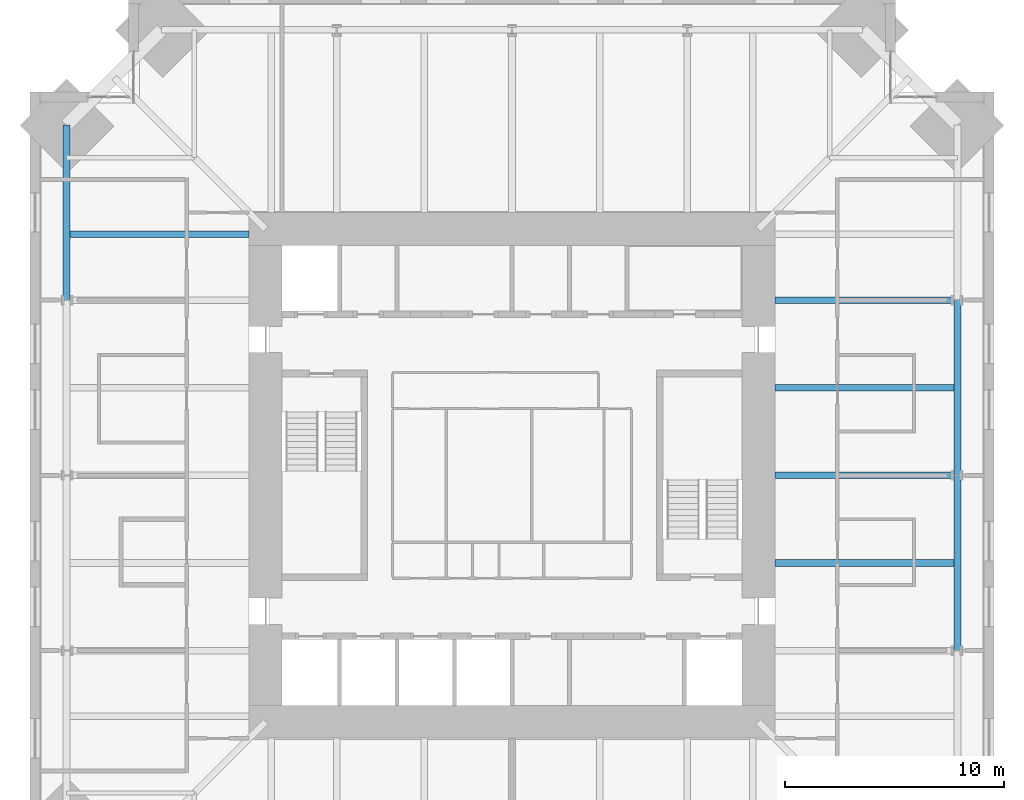
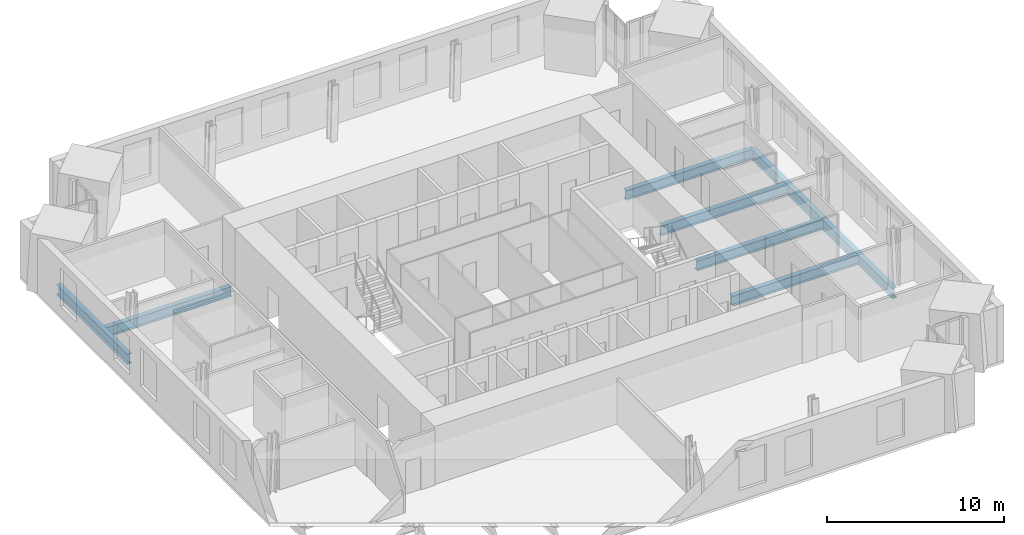
# One storey, part 5 of 16: 8 beams.
"""IFC4 building model written with IfcOpenShell, lengths in metres."""

from ifc_helpers import new_model, si_unit, direction, frame, origin, origin_2d, place, context, subcontext, project, spatial, i_section, extrude, material, material_profile, profile_set, type_object, element, save


model = new_model("IFC4")

# Units and contexts
model_context = context("Model", 3, precision=1e-05, world=origin(), true_north=direction((0.0, 1.0)))
body_context = subcontext(model_context, "Body", "Model", "MODEL_VIEW")
ifc_project = project(units=[si_unit("LENGTHUNIT", "METRE"), si_unit("AREAUNIT", "SQUARE_METRE"), si_unit("VOLUMEUNIT", "CUBIC_METRE"), si_unit("PLANEANGLEUNIT", "RADIAN"), si_unit("MASSUNIT", "GRAM", prefix="KILO")], contexts=[model_context])

# Site, building, storey
site_placement = place(None, origin())
site = spatial("IfcSite", under=ifc_project, at=site_placement, CompositionType="ELEMENT")
building_placement = place(site_placement, origin())
building = spatial("IfcBuilding", under=site, at=building_placement, Name="Peilmerk Tower", CompositionType="ELEMENT")
storey_placement = place(building_placement, frame((0.0, 0.0, 261.800048828125)))
storey = spatial("IfcBuildingStorey", under=building, at=storey_placement, Name="L58", CompositionType="ELEMENT", Elevation=261.800048828125)

# Beams
ifc_material = material(Name="Steel S355", Category="steel")
ifc_material_profile_1 = material_profile(ifc_material, i_section(OverallWidth=0.300048828125, OverallDepth=0.68994140625, WebThickness=0.014404296875, FlangeThickness=0.027099609375, at=origin_2d()), Name="HEA 700")
ifc_profile_set_1 = profile_set([ifc_material_profile_1], Name="Steel S355")
beam_type_1 = type_object("IfcBeamType", Name="B16 HEA 700 floor beam", PredefinedType="BEAM", material=ifc_profile_set_1)
for number, where, z_axis, x_axis, name in (
    (1, (12.0, -4.0, -0.51513671875), (1.0, 0.0, 0.0), (0.0, 1.0, 0.0), "Floor beam L58"),
    (2, (12.0, 0.0, -0.51513671875), (1.0, 0.0, 0.0), (0.0, 1.0, 0.0), "Floor beam L58"),
    (3, (12.0, 4.0, -0.51513671875), (1.0, 0.0, 0.0), (0.0, 1.0, 0.0), "Floor beam L58"),
    (4, (12.0, 8.0, -0.51513671875), (1.0, 0.0, 0.0), (0.0, 1.0, 0.0), "Floor beam L58"),
    (5, (-12.0, 11.0, -0.51513671875), (-1.0, 0.0, 0.0), (0.0, -1.0, 0.0), "Floor beam L58"),
):
    element("IfcBeam", number, at=place(storey_placement, frame(where, z_axis=z_axis, x_axis=x_axis)), inside=storey, type_object=beam_type_1, Name=name, PredefinedType="BEAM", context=body_context, shape_type="SweptSolid", body=[
        extrude(i_section(OverallWidth=0.300048828125, OverallDepth=0.68994140625, WebThickness=0.014404296875, FlangeThickness=0.027099609375, at=origin_2d()), origin(), (0.0, 0.0, 1.0), 8.34033203125),
    ])
ifc_material_profile_2 = material_profile(ifc_material, i_section(OverallWidth=0.303955078125, OverallDepth=0.716064453125, WebThickness=0.02099609375, FlangeThickness=0.0400390625, at=origin_2d()), Name="HEM 700")
ifc_profile_set_2 = profile_set([ifc_material_profile_2], Name="Steel S355")
beam_type_2 = type_object("IfcBeamType", Name="B30 HEM 700 edge beam", PredefinedType="SPANDREL", material=ifc_profile_set_2)
for number, where, z_axis, x_axis, name in (
    (6, (20.34033203125, -8.0, -0.528076171875), (0.0, 1.0, 0.0), (-1.0, 0.0, 0.0), "Edge beam L58"),
    (7, (20.34033203125, 0.0, -0.528076171875), (0.0, 1.0, 0.0), (-1.0, 0.0, 0.0), "Edge beam L58"),
):
    element("IfcBeam", number, at=place(storey_placement, frame(where, z_axis=z_axis, x_axis=x_axis)), inside=storey, type_object=beam_type_2, Name=name, PredefinedType="SPANDREL", context=body_context, shape_type="SweptSolid", body=[
        extrude(i_section(OverallWidth=0.303955078125, OverallDepth=0.716064453125, WebThickness=0.02099609375, FlangeThickness=0.0400390625, at=origin_2d()), origin(), (0.0, 0.0, 1.0), 8.0),
    ])
beam_placement = place(storey_placement, frame((-20.34033203125, 15.990234375, -0.528076171875), z_axis=(0.0, -1.0, 0.0), x_axis=(1.0, 0.0, 0.0)))
element("IfcBeam", 8, at=beam_placement, inside=storey, type_object=beam_type_2, Name="Edge beam L58", PredefinedType="SPANDREL", context=body_context, shape_type="SweptSolid", body=[
    extrude(i_section(OverallWidth=0.303955078125, OverallDepth=0.716064453125, WebThickness=0.02099609375, FlangeThickness=0.0400390625, at=origin_2d()), origin(), (0.0, 0.0, 1.0), 7.990234375),
])

save(model, "model.ifc")
